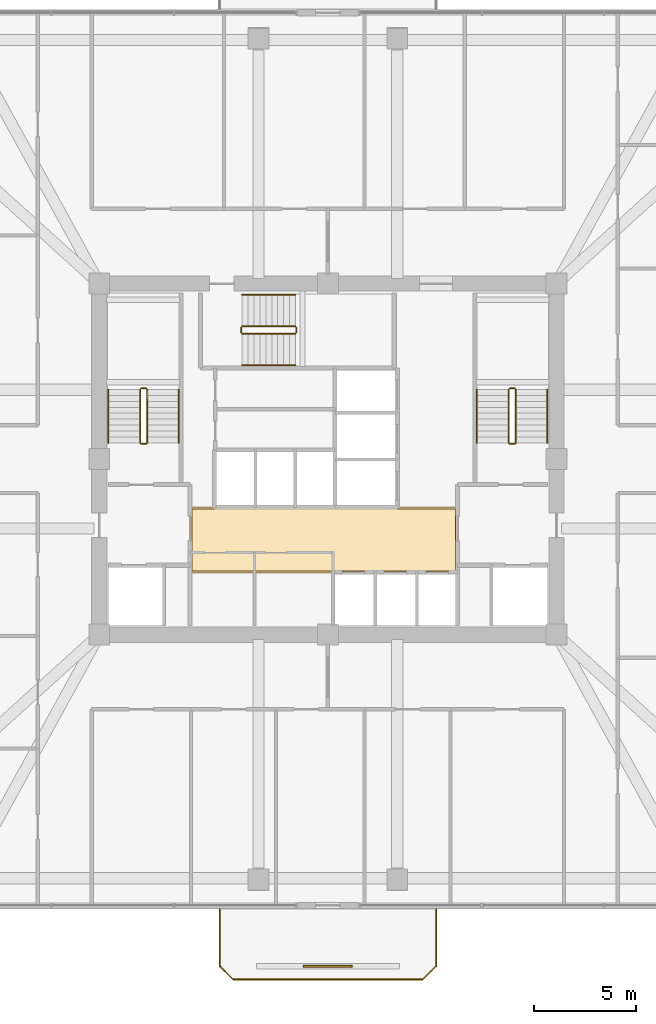
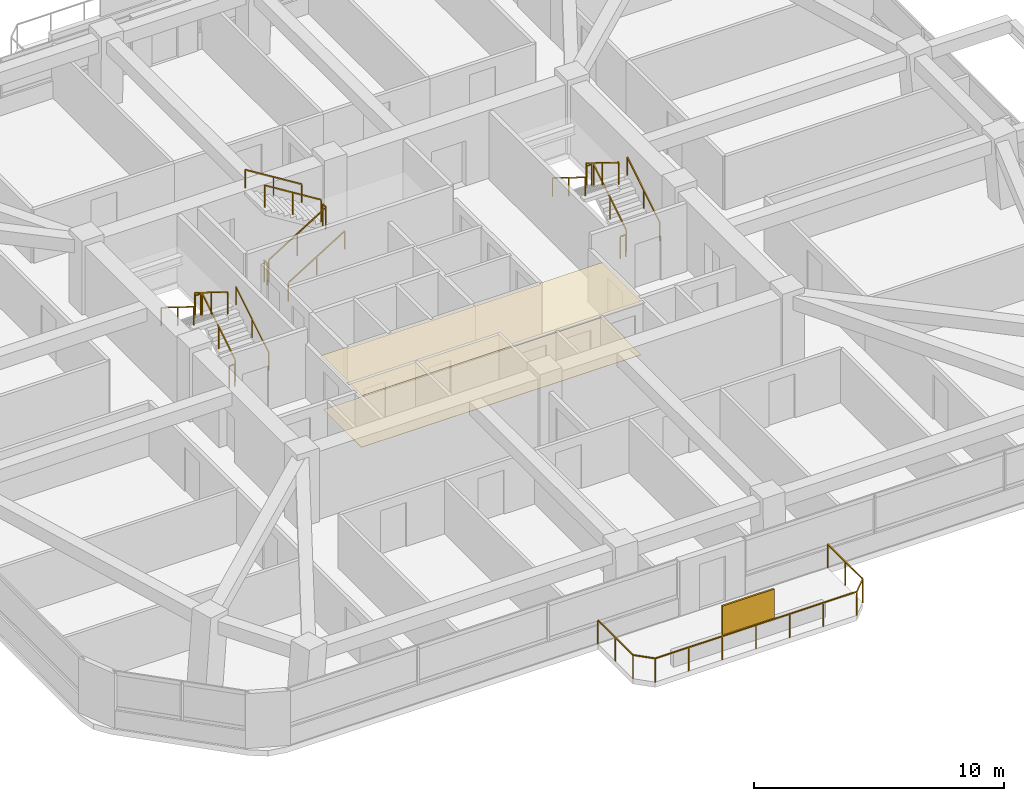
# One storey, part 12 of 13: 19 railings, 2 coverings, 1 shading device.
"""IFC4 building model written with IfcOpenShell, lengths in metres."""

from ifc_helpers import new_model, si_unit, derived_unit, direction, frame, origin, origin_2d, place, context, subcontext, project, spatial, polyline, rectangle, outline, extrude, material, layer, layer_set, type_object, element, save


model = new_model("IFC4")

# Units and contexts
model_context = context("Model", 3, precision=1e-05, world=origin(), true_north=direction((0.0, 1.0)))
body_context = subcontext(model_context, "Body", "Model", "MODEL_VIEW")
ifc_project = project(units=[si_unit("LENGTHUNIT", "METRE"), si_unit("AREAUNIT", "SQUARE_METRE"), si_unit("VOLUMEUNIT", "CUBIC_METRE"), si_unit("PLANEANGLEUNIT", "RADIAN"), si_unit("MASSUNIT", "GRAM", prefix="KILO"), derived_unit("THERMALTRANSMITTANCEUNIT", [(si_unit("POWERUNIT", "WATT"), 1), (si_unit("LENGTHUNIT", "METRE"), -2), (si_unit("THERMODYNAMICTEMPERATUREUNIT", "KELVIN"), -1)])], contexts=[model_context])

# Site, building, storey
site_placement = place(None, origin())
site = spatial("IfcSite", under=ifc_project, at=site_placement, CompositionType="ELEMENT")
building_placement = place(site_placement, origin())
building = spatial("IfcBuilding", under=site, at=building_placement, Name="Koralith Skygarden Medical Center", CompositionType="ELEMENT")
storey_placement = place(building_placement, frame((0.0, 0.0, 102.780029296875)))
storey = spatial("IfcBuildingStorey", under=building, at=storey_placement, Name="L26", CompositionType="ELEMENT", Elevation=102.780029296875)

# Covering
ifc_material_1 = material(Name="Acoustic Mineral Tile")
ifc_layer_1 = layer(ifc_material_1, 0.02001953125)
ifc_layer_set_1 = layer_set([ifc_layer_1], Name="Acoustic Mineral Tile")
covering_type_1 = type_object("IfcCoveringType", Name="Acoustic Hygienic Mineral Ceiling 20", PredefinedType="CEILING", material=ifc_layer_set_1)
covering_1_placement = place(storey_placement, frame((0.0, 0.0, 2.5849609375)))
element("IfcCovering", 1, at=covering_1_placement, inside=storey, type_object=covering_type_1, Name="L26 Core Lobby Acoustic Ceiling", PredefinedType="CEILING", context=body_context, shape_type="SweptSolid", body=[
    extrude(outline(polyline([(30.25, 20.320068359375), (43.35009765625, 20.320068359375), (43.35009765625, 23.56005859375), (30.25, 23.56005859375), (30.25, 20.320068359375)])), origin(), (0.0, 0.0, 1.0), 0.02001953125),
])

# Railing
ifc_material_2 = material(Name="Steel ASTM A500 Grade C", Category="steel")
railing_type_1 = type_object("IfcRailingType", Name="Outdoor Terrace & Balcony Safety Guardrail 1180", PredefinedType="GUARDRAIL", material=ifc_material_2)
railing_1_placement = place(storey_placement, frame((31.699951171875, 3.85400390625, 0.0)))
element("IfcRailing", 2, at=railing_1_placement, inside=storey, type_object=railing_type_1, Name="L26 S Balcony Perimeter Guardrail", PredefinedType="GUARDRAIL", context=body_context, shape_type="SweptSolid", body=[
    extrude(rectangle(XDim=0.050048828125, YDim=0.050048828125, at=origin_2d()), frame((0.0, -0.001953125, 1.15478515625), z_axis=(0.0, -1.0, 0.0), x_axis=(1.0, 0.0, 0.0)), (0.0, 0.0, 1.0), 2.796142578125),
    extrude(rectangle(XDim=0.050048828125, YDim=0.050048828125, at=origin_2d()), frame((0.00146484375, -2.801513671875, 1.15478515625), z_axis=(0.707239558722, -0.706973978714, 0.0), x_axis=(0.706973978714, 0.707239558722, 0.0)), (0.0, 0.0, 1.0), 0.915283203125),
    extrude(rectangle(XDim=0.050048828125, YDim=0.050048828125, at=origin_2d()), frame((0.652099609375, -3.449951171875, 1.15478515625), z_axis=(1.0, 0.0, 0.0), x_axis=(0.0, 1.0, 0.0)), (0.0, 0.0, 1.0), 9.2958984375),
    extrude(rectangle(XDim=0.050048828125, YDim=0.050048828125, at=origin_2d()), frame((9.951416015625, -3.448486328125, 1.15478515625), z_axis=(0.707239558722, 0.706973978714, 0.0), x_axis=(-0.706973978714, 0.707239558722, 0.0)), (0.0, 0.0, 1.0), 0.915283203125),
    extrude(rectangle(XDim=0.050048828125, YDim=0.050048828125, at=origin_2d()), frame((10.60009765625, -2.798095703125, 1.15478515625), z_axis=(0.0, 1.0, 0.0), x_axis=(-1.0, 0.0, 0.0)), (0.0, 0.0, 1.0), 2.796142578125),
    extrude(rectangle(XDim=0.0419921875, YDim=0.0419921875, at=origin_2d()), origin(), (0.0, 0.0, 1.0), 1.1279296875),
    extrude(rectangle(XDim=0.0419921875, YDim=0.0419921875, at=origin_2d()), frame((0.0, -1.39990234375, 0.0)), (0.0, 0.0, 1.0), 1.1279296875),
    extrude(rectangle(XDim=0.0419921875, YDim=0.0419921875, at=origin_2d()), frame((0.0, -2.800048828125, 0.0)), (0.0, 0.0, 1.0), 1.1279296875),
    extrude(rectangle(XDim=0.0419921875, YDim=0.0419921875, at=origin_2d()), frame((0.650146484375, -3.449951171875, 0.0)), (0.0, 0.0, 1.0), 1.1279296875),
    extrude(rectangle(XDim=0.0419921875, YDim=0.0419921875, at=origin_2d()), frame((2.2001953125, -3.449951171875, 0.0)), (0.0, 0.0, 1.0), 1.1279296875),
    extrude(rectangle(XDim=0.0419921875, YDim=0.0419921875, at=origin_2d()), frame((3.75, -3.449951171875, 0.0)), (0.0, 0.0, 1.0), 1.1279296875),
    extrude(rectangle(XDim=0.0419921875, YDim=0.0419921875, at=origin_2d()), frame((5.300048828125, -3.449951171875, 0.0)), (0.0, 0.0, 1.0), 1.1279296875),
    extrude(rectangle(XDim=0.0419921875, YDim=0.0419921875, at=origin_2d()), frame((6.85009765625, -3.449951171875, 0.0)), (0.0, 0.0, 1.0), 1.1279296875),
    extrude(rectangle(XDim=0.0419921875, YDim=0.0419921875, at=origin_2d()), frame((8.39990234375, -3.449951171875, 0.0)), (0.0, 0.0, 1.0), 1.1279296875),
    extrude(rectangle(XDim=0.0419921875, YDim=0.0419921875, at=origin_2d()), frame((9.949951171875, -3.449951171875, 0.0)), (0.0, 0.0, 1.0), 1.1279296875),
    extrude(rectangle(XDim=0.0419921875, YDim=0.0419921875, at=origin_2d()), frame((10.60009765625, -2.800048828125, 0.0)), (0.0, 0.0, 1.0), 1.1279296875),
    extrude(rectangle(XDim=0.0419921875, YDim=0.0419921875, at=origin_2d()), frame((10.60009765625, -1.39990234375, 0.0)), (0.0, 0.0, 1.0), 1.1279296875),
    extrude(rectangle(XDim=0.0419921875, YDim=0.0419921875, at=origin_2d()), frame((10.60009765625, 0.0, 0.0)), (0.0, 0.0, 1.0), 1.1279296875),
])

# Shading device
ifc_material_3 = material(Name="Aluminium 6063-T6", Category="aluminium")
ifc_layer_2 = layer(ifc_material_3, 0.080078125)
ifc_layer_set_2 = layer_set([ifc_layer_2], Name="Aluminium 6063-T6")
shading_device_type = type_object("IfcShadingDeviceType", Name="Perforated Biophilic Balcony Trellis Screen", PredefinedType="USERDEFINED", material=ifc_layer_set_2)
shading_device_placement = place(storey_placement, frame((37.0, 1.053955078125, 0.719970703125), z_axis=(0.0, 0.0, 1.0), x_axis=(1.0, 0.0, 0.0)))
element("IfcShadingDevice", 3, at=shading_device_placement, inside=storey, type_object=shading_device_type, Name="L26 S Biophilic Balcony Trellis Screen", ObjectType="HURRICANE SCREEN", PredefinedType="USERDEFINED", context=body_context, shape_type="SweptSolid", body=[
    extrude(rectangle(XDim=2.39990234375, YDim=0.080078125, at=origin_2d()), origin(), (0.0, 0.0, 1.0), 1.39990234375),
])

# Covering
ifc_material_4 = material(Name="Medical Terrazzo Flooring")
ifc_layer_3 = layer(ifc_material_4, 0.014892578125)
ifc_layer_set_3 = layer_set([ifc_layer_3], Name="Medical Terrazzo Flooring")
covering_type_2 = type_object("IfcCoveringType", Name="Seamless Antimicrobial Terrazzo Flooring 15", PredefinedType="FLOORING", material=ifc_layer_set_3)
covering_2_placement = place(storey_placement, origin())
element("IfcCovering", 4, at=covering_2_placement, inside=storey, type_object=covering_type_2, Name="L26 Core Lobby Terrazzo Flooring", PredefinedType="FLOORING", context=body_context, shape_type="SweptSolid", body=[
    extrude(outline(polyline([(30.35009765625, 20.419921875), (43.25, 20.419921875), (43.25, 23.4599609375), (30.35009765625, 23.4599609375), (30.35009765625, 20.419921875)])), origin(), (0.0, 0.0, 1.0), 0.014892578125),
])

# Railings
railing_type_2 = type_object("IfcRailingType", Name="Stair Flight Tubular Handrail 920", PredefinedType="HANDRAIL", material=ifc_material_2)
railing_2_placement = place(storey_placement, frame((29.699951171875, 26.699951171875, 0.179931640625)))
element("IfcRailing", 5, at=railing_2_placement, inside=storey, type_object=railing_type_2, Name="L26 ST1 stair handrail 1", PredefinedType="HANDRAIL", context=body_context, shape_type="SweptSolid", body=[
    extrude(rectangle(XDim=0.050048828125, YDim=0.050048828125, at=origin_2d()), frame((0.0, 0.001708984375, 0.89599609375), z_axis=(0.0, 0.849632798774, 0.527374731332), x_axis=(-1.0, 0.0, 0.0)), (0.0, 0.0, 1.0), 3.068115234375),
    extrude(rectangle(XDim=0.0419921875, YDim=0.0419921875, at=origin_2d()), origin(), (0.0, 0.0, 1.0), 0.867919921875),
    extrude(rectangle(XDim=0.0419921875, YDim=0.0419921875, at=origin_2d()), frame((0.0, 1.30517578125, 0.81005859375)), (0.0, 0.0, 1.0), 0.867919921875),
    extrude(rectangle(XDim=0.0419921875, YDim=0.0419921875, at=origin_2d()), frame((0.0, 2.610107421875, 1.6201171875)), (0.0, 0.0, 1.0), 0.867919921875),
])
railing_3_placement = place(storey_placement, frame((26.25, 29.31005859375, 1.97998046875)))
element("IfcRailing", 6, at=railing_3_placement, inside=storey, type_object=railing_type_2, Name="L26 ST1 stair handrail 2", PredefinedType="HANDRAIL", context=body_context, shape_type="SweptSolid", body=[
    extrude(rectangle(XDim=0.050048828125, YDim=0.050048828125, at=origin_2d()), frame((0.0, -0.001708984375, 0.89599609375), z_axis=(0.0, -0.849668407637, 0.527317358963), x_axis=(1.0, 0.0, 0.0)), (0.0, 0.0, 1.0), 3.06787109375),
    extrude(rectangle(XDim=0.0419921875, YDim=0.0419921875, at=origin_2d()), origin(), (0.0, 0.0, 1.0), 0.867919921875),
    extrude(rectangle(XDim=0.0419921875, YDim=0.0419921875, at=origin_2d()), frame((0.0, -1.30517578125, 0.81005859375)), (0.0, 0.0, 1.0), 0.867919921875),
    extrude(rectangle(XDim=0.0419921875, YDim=0.0419921875, at=origin_2d()), frame((0.0, -2.610107421875, 1.619873046875)), (0.0, 0.0, 1.0), 0.867919921875),
])
railing_4_placement = place(storey_placement, frame((47.75, 26.699951171875, 0.179931640625)))
element("IfcRailing", 7, at=railing_4_placement, inside=storey, type_object=railing_type_2, Name="L26 ST2 stair handrail 1", PredefinedType="HANDRAIL", context=body_context, shape_type="SweptSolid", body=[
    extrude(rectangle(XDim=0.050048828125, YDim=0.050048828125, at=origin_2d()), frame((0.0, 0.001708984375, 0.89599609375), z_axis=(0.0, 0.849632798774, 0.527374731332), x_axis=(-1.0, 0.0, 0.0)), (0.0, 0.0, 1.0), 3.068115234375),
    extrude(rectangle(XDim=0.0419921875, YDim=0.0419921875, at=origin_2d()), origin(), (0.0, 0.0, 1.0), 0.867919921875),
    extrude(rectangle(XDim=0.0419921875, YDim=0.0419921875, at=origin_2d()), frame((0.0, 1.30517578125, 0.81005859375)), (0.0, 0.0, 1.0), 0.867919921875),
    extrude(rectangle(XDim=0.0419921875, YDim=0.0419921875, at=origin_2d()), frame((0.0, 2.610107421875, 1.6201171875)), (0.0, 0.0, 1.0), 0.867919921875),
])
railing_5_placement = place(storey_placement, frame((44.300048828125, 29.31005859375, 1.97998046875)))
element("IfcRailing", 8, at=railing_5_placement, inside=storey, type_object=railing_type_2, Name="L26 ST2 stair handrail 2", PredefinedType="HANDRAIL", context=body_context, shape_type="SweptSolid", body=[
    extrude(rectangle(XDim=0.050048828125, YDim=0.050048828125, at=origin_2d()), frame((0.0, -0.001708984375, 0.89599609375), z_axis=(0.0, -0.849668407637, 0.527317358963), x_axis=(1.0, 0.0, 0.0)), (0.0, 0.0, 1.0), 3.06787109375),
    extrude(rectangle(XDim=0.0419921875, YDim=0.0419921875, at=origin_2d()), origin(), (0.0, 0.0, 1.0), 0.867919921875),
    extrude(rectangle(XDim=0.0419921875, YDim=0.0419921875, at=origin_2d()), frame((0.0, -1.30517578125, 0.81005859375)), (0.0, 0.0, 1.0), 0.867919921875),
    extrude(rectangle(XDim=0.0419921875, YDim=0.0419921875, at=origin_2d()), frame((0.0, -2.610107421875, 1.619873046875)), (0.0, 0.0, 1.0), 0.867919921875),
])
railing_6_placement = place(storey_placement, frame((32.800048828125, 30.5, 0.179931640625)))
element("IfcRailing", 9, at=railing_6_placement, inside=storey, type_object=railing_type_2, Name="L26 ST3 stair handrail 1", PredefinedType="HANDRAIL", context=body_context, shape_type="SweptSolid", body=[
    extrude(rectangle(XDim=0.050048828125, YDim=0.050048828125, at=origin_2d()), frame((0.001708984375, 0.0, 0.89599609375), z_axis=(0.849610693518, 0.0, 0.52741034258), x_axis=(0.0, 1.0, 0.0)), (0.0, 0.0, 1.0), 3.06787109375),
    extrude(rectangle(XDim=0.0419921875, YDim=0.0419921875, at=origin_2d()), origin(), (0.0, 0.0, 1.0), 0.867919921875),
    extrude(rectangle(XDim=0.0419921875, YDim=0.0419921875, at=origin_2d()), frame((1.304931640625, 0.0, 0.81005859375)), (0.0, 0.0, 1.0), 0.867919921875),
    extrude(rectangle(XDim=0.0419921875, YDim=0.0419921875, at=origin_2d()), frame((2.60986328125, 0.0, 1.6201171875)), (0.0, 0.0, 1.0), 0.867919921875),
])
railing_7_placement = place(storey_placement, frame((35.409912109375, 33.949951171875, 1.97998046875)))
element("IfcRailing", 10, at=railing_7_placement, inside=storey, type_object=railing_type_2, Name="L26 ST3 stair handrail 2", PredefinedType="HANDRAIL", context=body_context, shape_type="SweptSolid", body=[
    extrude(rectangle(XDim=0.050048828125, YDim=0.050048828125, at=origin_2d()), frame((-0.001708984375, 0.0, 0.89599609375), z_axis=(-0.849646306263, 0.0, 0.527352969322), x_axis=(0.0, -1.0, 0.0)), (0.0, 0.0, 1.0), 3.067626953125),
    extrude(rectangle(XDim=0.0419921875, YDim=0.0419921875, at=origin_2d()), origin(), (0.0, 0.0, 1.0), 0.867919921875),
    extrude(rectangle(XDim=0.0419921875, YDim=0.0419921875, at=origin_2d()), frame((-1.304931640625, 0.0, 0.81005859375)), (0.0, 0.0, 1.0), 0.867919921875),
    extrude(rectangle(XDim=0.0419921875, YDim=0.0419921875, at=origin_2d()), frame((-2.60986328125, 0.0, 1.619873046875)), (0.0, 0.0, 1.0), 0.867919921875),
])
railing_type_3 = type_object("IfcRailingType", Name="Stair Well Safety Guardrail 1100", PredefinedType="GUARDRAIL", material=ifc_material_2)
railing_8_placement = place(storey_placement, frame((28.14990234375, 26.699951171875, 0.179931640625)))
element("IfcRailing", 11, at=railing_8_placement, inside=storey, type_object=railing_type_3, Name="L26 ST1 stair guard 1", PredefinedType="GUARDRAIL", context=body_context, shape_type="SweptSolid", body=[
    extrude(rectangle(XDim=0.050048828125, YDim=0.050048828125, at=origin_2d()), frame((0.0, 0.001708984375, 1.076171875), z_axis=(0.0, 0.849632798774, 0.527374731332), x_axis=(-1.0, 0.0, 0.0)), (0.0, 0.0, 1.0), 3.068115234375),
    extrude(rectangle(XDim=0.0419921875, YDim=0.0419921875, at=origin_2d()), origin(), (0.0, 0.0, 1.0), 1.048095703125),
    extrude(rectangle(XDim=0.0419921875, YDim=0.0419921875, at=origin_2d()), frame((0.0, 1.30517578125, 0.81005859375)), (0.0, 0.0, 1.0), 1.048095703125),
    extrude(rectangle(XDim=0.0419921875, YDim=0.0419921875, at=origin_2d()), frame((0.0, 2.610107421875, 1.6201171875)), (0.0, 0.0, 1.0), 1.048095703125),
])
railing_9_placement = place(storey_placement, frame((28.10009765625, 29.360107421875, 1.800048828125)))
element("IfcRailing", 12, at=railing_9_placement, inside=storey, type_object=railing_type_3, Name="L26 ST1 stair guard 2", PredefinedType="GUARDRAIL", context=body_context, shape_type="SweptSolid", body=[
    extrude(rectangle(XDim=0.050048828125, YDim=0.050048828125, at=origin_2d()), frame((-0.001953125, 0.0, 1.0751953125), z_axis=(-1.0, 0.0, 0.0), x_axis=(0.0, -1.0, 0.0)), (0.0, 0.0, 1.0), 0.24609375),
    extrude(rectangle(XDim=0.0419921875, YDim=0.0419921875, at=origin_2d()), origin(), (0.0, 0.0, 1.0), 1.048095703125),
    extrude(rectangle(XDim=0.0419921875, YDim=0.0419921875, at=origin_2d()), frame((-0.25, 0.0, 0.0)), (0.0, 0.0, 1.0), 1.048095703125),
])
railing_10_placement = place(storey_placement, frame((27.800048828125, 29.31005859375, 1.97998046875)))
element("IfcRailing", 13, at=railing_10_placement, inside=storey, type_object=railing_type_3, Name="L26 ST1 stair guard 3", PredefinedType="GUARDRAIL", context=body_context, shape_type="SweptSolid", body=[
    extrude(rectangle(XDim=0.050048828125, YDim=0.050048828125, at=origin_2d()), frame((0.0, -0.001708984375, 1.076171875), z_axis=(0.0, -0.849668407637, 0.527317358963), x_axis=(1.0, 0.0, 0.0)), (0.0, 0.0, 1.0), 3.06787109375),
    extrude(rectangle(XDim=0.0419921875, YDim=0.0419921875, at=origin_2d()), origin(), (0.0, 0.0, 1.0), 1.048095703125),
    extrude(rectangle(XDim=0.0419921875, YDim=0.0419921875, at=origin_2d()), frame((0.0, -1.30517578125, 0.81005859375)), (0.0, 0.0, 1.0), 1.048095703125),
    extrude(rectangle(XDim=0.0419921875, YDim=0.0419921875, at=origin_2d()), frame((0.0, -2.610107421875, 1.619873046875)), (0.0, 0.0, 1.0), 1.048095703125),
])
railing_11_placement = place(storey_placement, frame((28.10009765625, 26.64990234375, 0.0)))
element("IfcRailing", 14, at=railing_11_placement, inside=storey, type_object=railing_type_3, Name="L26 ST1 stair guard 4", PredefinedType="GUARDRAIL", context=body_context, shape_type="SweptSolid", body=[
    extrude(rectangle(XDim=0.050048828125, YDim=0.050048828125, at=origin_2d()), frame((-0.001953125, 0.0, 1.0751953125), z_axis=(-1.0, 0.0, 0.0), x_axis=(0.0, -1.0, 0.0)), (0.0, 0.0, 1.0), 0.24609375),
    extrude(rectangle(XDim=0.0419921875, YDim=0.0419921875, at=origin_2d()), origin(), (0.0, 0.0, 1.0), 1.048095703125),
    extrude(rectangle(XDim=0.0419921875, YDim=0.0419921875, at=origin_2d()), frame((-0.25, 0.0, 0.0)), (0.0, 0.0, 1.0), 1.048095703125),
])
railing_12_placement = place(storey_placement, frame((46.199951171875, 26.699951171875, 0.179931640625)))
element("IfcRailing", 15, at=railing_12_placement, inside=storey, type_object=railing_type_3, Name="L26 ST2 stair guard 1", PredefinedType="GUARDRAIL", context=body_context, shape_type="SweptSolid", body=[
    extrude(rectangle(XDim=0.050048828125, YDim=0.050048828125, at=origin_2d()), frame((0.0, 0.001708984375, 1.076171875), z_axis=(0.0, 0.849632798774, 0.527374731332), x_axis=(-1.0, 0.0, 0.0)), (0.0, 0.0, 1.0), 3.068115234375),
    extrude(rectangle(XDim=0.0419921875, YDim=0.0419921875, at=origin_2d()), origin(), (0.0, 0.0, 1.0), 1.048095703125),
    extrude(rectangle(XDim=0.0419921875, YDim=0.0419921875, at=origin_2d()), frame((0.0, 1.30517578125, 0.81005859375)), (0.0, 0.0, 1.0), 1.048095703125),
    extrude(rectangle(XDim=0.0419921875, YDim=0.0419921875, at=origin_2d()), frame((0.0, 2.610107421875, 1.6201171875)), (0.0, 0.0, 1.0), 1.048095703125),
])
railing_13_placement = place(storey_placement, frame((46.14990234375, 29.360107421875, 1.800048828125)))
element("IfcRailing", 16, at=railing_13_placement, inside=storey, type_object=railing_type_3, Name="L26 ST2 stair guard 2", PredefinedType="GUARDRAIL", context=body_context, shape_type="SweptSolid", body=[
    extrude(rectangle(XDim=0.050048828125, YDim=0.050048828125, at=origin_2d()), frame((-0.001953125, 0.0, 1.0751953125), z_axis=(-1.0, 0.0, 0.0), x_axis=(0.0, -1.0, 0.0)), (0.0, 0.0, 1.0), 0.24609375),
    extrude(rectangle(XDim=0.0419921875, YDim=0.0419921875, at=origin_2d()), origin(), (0.0, 0.0, 1.0), 1.048095703125),
    extrude(rectangle(XDim=0.0419921875, YDim=0.0419921875, at=origin_2d()), frame((-0.25, 0.0, 0.0)), (0.0, 0.0, 1.0), 1.048095703125),
])
railing_14_placement = place(storey_placement, frame((45.85009765625, 29.31005859375, 1.97998046875)))
element("IfcRailing", 17, at=railing_14_placement, inside=storey, type_object=railing_type_3, Name="L26 ST2 stair guard 3", PredefinedType="GUARDRAIL", context=body_context, shape_type="SweptSolid", body=[
    extrude(rectangle(XDim=0.050048828125, YDim=0.050048828125, at=origin_2d()), frame((0.0, -0.001708984375, 1.076171875), z_axis=(0.0, -0.849668407637, 0.527317358963), x_axis=(1.0, 0.0, 0.0)), (0.0, 0.0, 1.0), 3.06787109375),
    extrude(rectangle(XDim=0.0419921875, YDim=0.0419921875, at=origin_2d()), origin(), (0.0, 0.0, 1.0), 1.048095703125),
    extrude(rectangle(XDim=0.0419921875, YDim=0.0419921875, at=origin_2d()), frame((0.0, -1.30517578125, 0.81005859375)), (0.0, 0.0, 1.0), 1.048095703125),
    extrude(rectangle(XDim=0.0419921875, YDim=0.0419921875, at=origin_2d()), frame((0.0, -2.610107421875, 1.619873046875)), (0.0, 0.0, 1.0), 1.048095703125),
])
railing_15_placement = place(storey_placement, frame((46.14990234375, 26.64990234375, 0.0)))
element("IfcRailing", 18, at=railing_15_placement, inside=storey, type_object=railing_type_3, Name="L26 ST2 stair guard 4", PredefinedType="GUARDRAIL", context=body_context, shape_type="SweptSolid", body=[
    extrude(rectangle(XDim=0.050048828125, YDim=0.050048828125, at=origin_2d()), frame((-0.001953125, 0.0, 1.0751953125), z_axis=(-1.0, 0.0, 0.0), x_axis=(0.0, -1.0, 0.0)), (0.0, 0.0, 1.0), 0.24609375),
    extrude(rectangle(XDim=0.0419921875, YDim=0.0419921875, at=origin_2d()), origin(), (0.0, 0.0, 1.0), 1.048095703125),
    extrude(rectangle(XDim=0.0419921875, YDim=0.0419921875, at=origin_2d()), frame((-0.25, 0.0, 0.0)), (0.0, 0.0, 1.0), 1.048095703125),
])
railing_16_placement = place(storey_placement, frame((32.800048828125, 32.050048828125, 0.179931640625)))
element("IfcRailing", 19, at=railing_16_placement, inside=storey, type_object=railing_type_3, Name="L26 ST3 stair guard 1", PredefinedType="GUARDRAIL", context=body_context, shape_type="SweptSolid", body=[
    extrude(rectangle(XDim=0.050048828125, YDim=0.050048828125, at=origin_2d()), frame((0.001708984375, 0.0, 1.076171875), z_axis=(0.849610693518, 0.0, 0.52741034258), x_axis=(0.0, 1.0, 0.0)), (0.0, 0.0, 1.0), 3.06787109375),
    extrude(rectangle(XDim=0.0419921875, YDim=0.0419921875, at=origin_2d()), origin(), (0.0, 0.0, 1.0), 1.048095703125),
    extrude(rectangle(XDim=0.0419921875, YDim=0.0419921875, at=origin_2d()), frame((1.304931640625, 0.0, 0.81005859375)), (0.0, 0.0, 1.0), 1.048095703125),
    extrude(rectangle(XDim=0.0419921875, YDim=0.0419921875, at=origin_2d()), frame((2.60986328125, 0.0, 1.6201171875)), (0.0, 0.0, 1.0), 1.048095703125),
])
railing_17_placement = place(storey_placement, frame((35.4599609375, 32.10009765625, 1.800048828125)))
element("IfcRailing", 20, at=railing_17_placement, inside=storey, type_object=railing_type_3, Name="L26 ST3 stair guard 2", PredefinedType="GUARDRAIL", context=body_context, shape_type="SweptSolid", body=[
    extrude(rectangle(XDim=0.050048828125, YDim=0.050048828125, at=origin_2d()), frame((0.0, 0.001953125, 1.0751953125), z_axis=(0.0, 1.0, 0.0), x_axis=(-1.0, 0.0, 0.0)), (0.0, 0.0, 1.0), 0.24609375),
    extrude(rectangle(XDim=0.0419921875, YDim=0.0419921875, at=origin_2d()), origin(), (0.0, 0.0, 1.0), 1.048095703125),
    extrude(rectangle(XDim=0.0419921875, YDim=0.0419921875, at=origin_2d()), frame((0.0, 0.25, 0.0)), (0.0, 0.0, 1.0), 1.048095703125),
])
railing_18_placement = place(storey_placement, frame((35.409912109375, 32.39990234375, 1.97998046875)))
element("IfcRailing", 21, at=railing_18_placement, inside=storey, type_object=railing_type_3, Name="L26 ST3 stair guard 3", PredefinedType="GUARDRAIL", context=body_context, shape_type="SweptSolid", body=[
    extrude(rectangle(XDim=0.050048828125, YDim=0.050048828125, at=origin_2d()), frame((-0.001708984375, 0.0, 1.076171875), z_axis=(-0.849646306263, 0.0, 0.527352969322), x_axis=(0.0, -1.0, 0.0)), (0.0, 0.0, 1.0), 3.067626953125),
    extrude(rectangle(XDim=0.0419921875, YDim=0.0419921875, at=origin_2d()), origin(), (0.0, 0.0, 1.0), 1.048095703125),
    extrude(rectangle(XDim=0.0419921875, YDim=0.0419921875, at=origin_2d()), frame((-1.304931640625, 0.0, 0.81005859375)), (0.0, 0.0, 1.0), 1.048095703125),
    extrude(rectangle(XDim=0.0419921875, YDim=0.0419921875, at=origin_2d()), frame((-2.60986328125, 0.0, 1.619873046875)), (0.0, 0.0, 1.0), 1.048095703125),
])
railing_19_placement = place(storey_placement, frame((32.75, 32.10009765625, 0.0)))
element("IfcRailing", 22, at=railing_19_placement, inside=storey, type_object=railing_type_3, Name="L26 ST3 stair guard 4", PredefinedType="GUARDRAIL", context=body_context, shape_type="SweptSolid", body=[
    extrude(rectangle(XDim=0.050048828125, YDim=0.050048828125, at=origin_2d()), frame((0.0, 0.001953125, 1.0751953125), z_axis=(0.0, 1.0, 0.0), x_axis=(-1.0, 0.0, 0.0)), (0.0, 0.0, 1.0), 0.24609375),
    extrude(rectangle(XDim=0.0419921875, YDim=0.0419921875, at=origin_2d()), origin(), (0.0, 0.0, 1.0), 1.048095703125),
    extrude(rectangle(XDim=0.0419921875, YDim=0.0419921875, at=origin_2d()), frame((0.0, 0.25, 0.0)), (0.0, 0.0, 1.0), 1.048095703125),
])

save(model, "model.ifc")
